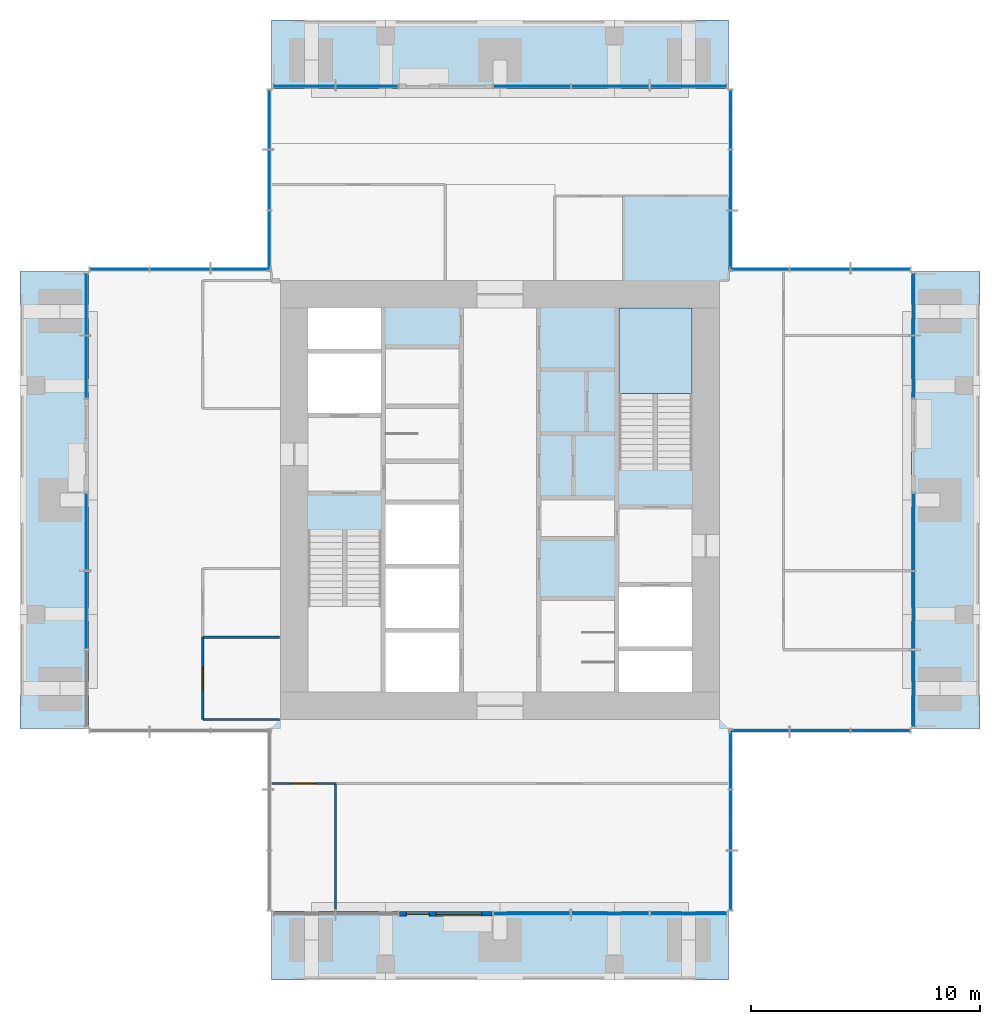
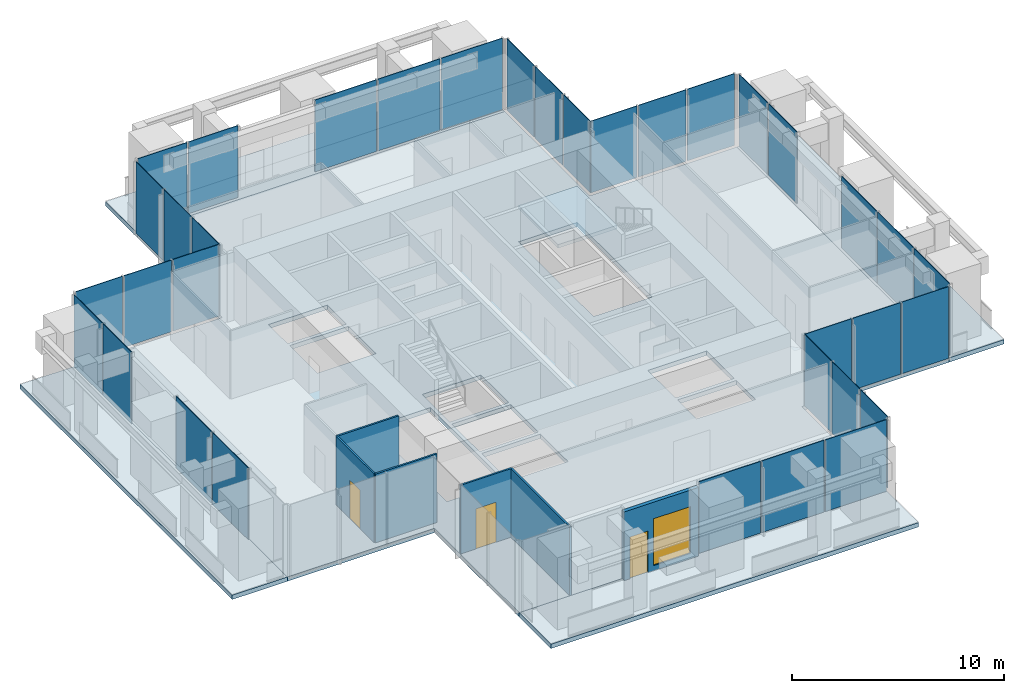
# One storey, part 6 of 12: 35 plates, 6 slabs, 6 walls, 3 doors, 1 window, 4 openings, 14 elements without a shape of their own.
"""IFC4 building model written with IfcOpenShell, lengths in metres."""

from ifc_helpers import new_model, si_unit, direction, frame, frame_2d, origin, origin_2d, place, context, subcontext, project, spatial, polyline, rectangle, outline, extrude, material, layer, layer_set, type_object, element, fill, aggregate, save


model = new_model("IFC4")

# Units and contexts
model_context = context("Model", 3, precision=1e-05, world=origin(), true_north=direction((0.0, 1.0)))
body_context = subcontext(model_context, "Body", "Model", "MODEL_VIEW")
ifc_project = project(units=[si_unit("LENGTHUNIT", "METRE"), si_unit("AREAUNIT", "SQUARE_METRE"), si_unit("VOLUMEUNIT", "CUBIC_METRE"), si_unit("PLANEANGLEUNIT", "RADIAN"), si_unit("MASSUNIT", "GRAM", prefix="KILO")], contexts=[model_context])

# Site, building, storey
site_placement = place(None, origin())
site = spatial("IfcSite", under=ifc_project, at=site_placement, CompositionType="ELEMENT")
building_placement = place(site_placement, origin())
building = spatial("IfcBuilding", under=site, at=building_placement, Name="Svetlomir Tower", CompositionType="ELEMENT")
storey_placement = place(building_placement, frame((0.0, 0.0, 265.0)))
storey = spatial("IfcBuildingStorey", under=building, at=storey_placement, Name="L63", CompositionType="ELEMENT", Elevation=265.0)

# Curtain wall, plates
ifc_material_1 = material(Name="Bronze anodised aluminium curtain wall", Category="aluminium")
curtain_wall_type = type_object("IfcCurtainWallType", Name="CURTAIN WALL CW4 EXECUTIVE", PredefinedType="NOTDEFINED", material=ifc_material_1)
curtain_wall_1_placement = place(storey_placement, origin())
curtain_wall_1 = element("IfcCurtainWall", 1, at=curtain_wall_1_placement, inside=storey, type_object=curtain_wall_type, Name="Curtain wall CW4 L63", PredefinedType="NOTDEFINED")
ifc_material_2 = material(Name="Tinted double glazed unit", Category="glass")
ifc_layer_1 = layer(ifc_material_2, 0.035888671875)
ifc_layer_set_1 = layer_set([ifc_layer_1], Name="Tinted double glazed unit")
plate_type = type_object("IfcPlateType", Name="CW4 GLAZED PANEL 36", PredefinedType="CURTAIN_PANEL", material=ifc_layer_set_1)
plate_1_placement = place(storey_placement, frame((22.393798828125, 2.89990234375, 0.074951171875), z_axis=(0.0, 0.0, 1.0), x_axis=(1.0, 0.0, 0.0)))
plate_1 = element("IfcPlate", 2, at=plate_1_placement, type_object=plate_type, Name="CW4 panel 1.1", PredefinedType="CURTAIN_PANEL", context=body_context, shape_type="SweptSolid", body=[
    extrude(rectangle(XDim=3.33740234375, YDim=0.035888671875, at=origin_2d()), origin(), (0.0, 0.0, 1.0), 4.125),
])
plate_2_placement = place(storey_placement, frame((25.824951171875, 2.89990234375, 0.074951171875), z_axis=(0.0, 0.0, 1.0), x_axis=(1.0, 0.0, 0.0)))
plate_2 = element("IfcPlate", 3, at=plate_2_placement, type_object=plate_type, Name="CW4 panel 2.1", PredefinedType="CURTAIN_PANEL", context=body_context, shape_type="SweptSolid", body=[
    extrude(rectangle(XDim=3.375, YDim=0.035888671875, at=origin_2d()), origin(), (0.0, 0.0, 1.0), 4.125),
])
plate_3_placement = place(storey_placement, frame((29.25634765625, 2.89990234375, 0.074951171875), z_axis=(0.0, 0.0, 1.0), x_axis=(1.0, 0.0, 0.0)))
plate_3 = element("IfcPlate", 4, at=plate_3_placement, type_object=plate_type, Name="CW4 panel 3.1", PredefinedType="CURTAIN_PANEL", context=body_context, shape_type="SweptSolid", body=[
    extrude(rectangle(XDim=3.33740234375, YDim=0.035888671875, at=origin_2d()), origin(), (0.0, 0.0, 1.0), 4.125),
])
aggregate(curtain_wall_1, [plate_1, plate_2, plate_3])

curtain_wall_2_placement = place(storey_placement, origin())
curtain_wall_2 = element("IfcCurtainWall", 5, at=curtain_wall_2_placement, inside=storey, type_object=curtain_wall_type, Name="Curtain wall CW4 L63", PredefinedType="NOTDEFINED")
plate_4_placement = place(storey_placement, frame((31.10009765625, 4.35205078125, 0.074951171875), z_axis=(0.0, 0.0, 1.0), x_axis=(0.0, 1.0, 0.0)))
plate_4 = element("IfcPlate", 6, at=plate_4_placement, type_object=plate_type, Name="CW4 panel 1.1", PredefinedType="CURTAIN_PANEL", context=body_context, shape_type="SweptSolid", body=[
    extrude(rectangle(XDim=2.55419921875, YDim=0.035888671875, at=origin_2d()), origin(), (0.0, 0.0, 1.0), 4.125),
])
plate_5_placement = place(storey_placement, frame((31.10009765625, 7.0, 0.074951171875), z_axis=(0.0, 0.0, 1.0), x_axis=(0.0, 1.0, 0.0)))
plate_5 = element("IfcPlate", 7, at=plate_5_placement, type_object=plate_type, Name="CW4 panel 2.1", PredefinedType="CURTAIN_PANEL", context=body_context, shape_type="SweptSolid", body=[
    extrude(rectangle(XDim=2.591552734375, YDim=0.035888671875, at=origin_2d()), origin(), (0.0, 0.0, 1.0), 4.125),
])
plate_6_placement = place(storey_placement, frame((31.10009765625, 9.64794921875, 0.074951171875), z_axis=(0.0, 0.0, 1.0), x_axis=(0.0, 1.0, 0.0)))
plate_6 = element("IfcPlate", 8, at=plate_6_placement, type_object=plate_type, Name="CW4 panel 3.1", PredefinedType="CURTAIN_PANEL", context=body_context, shape_type="SweptSolid", body=[
    extrude(rectangle(XDim=2.55419921875, YDim=0.035888671875, at=origin_2d()), origin(), (0.0, 0.0, 1.0), 4.125),
])
aggregate(curtain_wall_2, [plate_4, plate_5, plate_6])

curtain_wall_3_placement = place(storey_placement, origin())
curtain_wall_3 = element("IfcCurtainWall", 9, at=curtain_wall_3_placement, inside=storey, type_object=curtain_wall_type, Name="Curtain wall CW4 L63", PredefinedType="NOTDEFINED")
plate_7_placement = place(storey_placement, frame((32.35205078125, 10.89990234375, 0.074951171875), z_axis=(0.0, 0.0, 1.0), x_axis=(1.0, 0.0, 0.0)))
plate_7 = element("IfcPlate", 10, at=plate_7_placement, type_object=plate_type, Name="CW4 panel 1.1", PredefinedType="CURTAIN_PANEL", context=body_context, shape_type="SweptSolid", body=[
    extrude(rectangle(XDim=2.55419921875, YDim=0.035888671875, at=origin_2d()), origin(), (0.0, 0.0, 1.0), 4.125),
])
plate_8_placement = place(storey_placement, frame((35.0, 10.89990234375, 0.074951171875), z_axis=(0.0, 0.0, 1.0), x_axis=(1.0, 0.0, 0.0)))
plate_8 = element("IfcPlate", 11, at=plate_8_placement, type_object=plate_type, Name="CW4 panel 2.1", PredefinedType="CURTAIN_PANEL", context=body_context, shape_type="SweptSolid", body=[
    extrude(rectangle(XDim=2.591552734375, YDim=0.035888671875, at=origin_2d()), origin(), (0.0, 0.0, 1.0), 4.125),
])
plate_9_placement = place(storey_placement, frame((37.64794921875, 10.89990234375, 0.074951171875), z_axis=(0.0, 0.0, 1.0), x_axis=(1.0, 0.0, 0.0)))
plate_9 = element("IfcPlate", 12, at=plate_9_placement, type_object=plate_type, Name="CW4 panel 3.1", PredefinedType="CURTAIN_PANEL", context=body_context, shape_type="SweptSolid", body=[
    extrude(rectangle(XDim=2.55419921875, YDim=0.035888671875, at=origin_2d()), origin(), (0.0, 0.0, 1.0), 4.125),
])
aggregate(curtain_wall_3, [plate_7, plate_8, plate_9])

curtain_wall_4_placement = place(storey_placement, origin())
curtain_wall_4 = element("IfcCurtainWall", 13, at=curtain_wall_4_placement, inside=storey, type_object=curtain_wall_type, Name="Curtain wall CW4 L63", PredefinedType="NOTDEFINED")
plate_10_placement = place(storey_placement, frame((39.10009765625, 12.74365234375, 0.074951171875), z_axis=(0.0, 0.0, 1.0), x_axis=(0.0, 1.0, 0.0)))
plate_10 = element("IfcPlate", 14, at=plate_10_placement, type_object=plate_type, Name="CW4 panel 1.1", PredefinedType="CURTAIN_PANEL", context=body_context, shape_type="SweptSolid", body=[
    extrude(rectangle(XDim=3.33740234375, YDim=0.035888671875, at=origin_2d()), origin(), (0.0, 0.0, 1.0), 4.125),
])
plate_11_placement = place(storey_placement, frame((39.10009765625, 16.175048828125, 0.074951171875), z_axis=(0.0, 0.0, 1.0), x_axis=(0.0, 1.0, 0.0)))
plate_11 = element("IfcPlate", 15, at=plate_11_placement, type_object=plate_type, Name="CW4 panel 2.1", PredefinedType="CURTAIN_PANEL", context=body_context, shape_type="SweptSolid", body=[
    extrude(rectangle(XDim=3.375, YDim=0.035888671875, at=origin_2d()), origin(), (0.0, 0.0, 1.0), 4.125),
])
plate_12_placement = place(storey_placement, frame((39.10009765625, 19.606201171875, 0.074951171875), z_axis=(0.0, 0.0, 1.0), x_axis=(0.0, 1.0, 0.0)))
plate_12 = element("IfcPlate", 16, at=plate_12_placement, type_object=plate_type, Name="CW4 panel 3.1", PredefinedType="CURTAIN_PANEL", context=body_context, shape_type="SweptSolid", body=[
    extrude(rectangle(XDim=3.33740234375, YDim=0.035888671875, at=origin_2d()), origin(), (0.0, 0.0, 1.0), 4.125),
])
aggregate(curtain_wall_4, [plate_10, plate_11, plate_12])

curtain_wall_5_placement = place(storey_placement, origin())
curtain_wall_5 = element("IfcCurtainWall", 17, at=curtain_wall_5_placement, inside=storey, type_object=curtain_wall_type, Name="Curtain wall CW4 L63", PredefinedType="NOTDEFINED")
plate_13_placement = place(storey_placement, frame((39.10009765625, 26.81884765625, 0.074951171875), z_axis=(0.0, 0.0, 1.0), x_axis=(0.0, 1.0, 0.0)))
plate_13 = element("IfcPlate", 18, at=plate_13_placement, type_object=plate_type, Name="CW4 panel 1.1", PredefinedType="CURTAIN_PANEL", context=body_context, shape_type="SweptSolid", body=[
    extrude(rectangle(XDim=2.6875, YDim=0.035888671875, at=origin_2d()), origin(), (0.0, 0.0, 1.0), 4.125),
])
plate_14_placement = place(storey_placement, frame((39.10009765625, 29.581298828125, 0.074951171875), z_axis=(0.0, 0.0, 1.0), x_axis=(0.0, 1.0, 0.0)))
plate_14 = element("IfcPlate", 19, at=plate_14_placement, type_object=plate_type, Name="CW4 panel 2.1", PredefinedType="CURTAIN_PANEL", context=body_context, shape_type="SweptSolid", body=[
    extrude(rectangle(XDim=2.6875, YDim=0.035888671875, at=origin_2d()), origin(), (0.0, 0.0, 1.0), 4.125),
])
aggregate(curtain_wall_5, [plate_13, plate_14])

curtain_wall_6_placement = place(storey_placement, origin())
curtain_wall_6 = element("IfcCurtainWall", 20, at=curtain_wall_6_placement, inside=storey, type_object=curtain_wall_type, Name="Curtain wall CW4 L63", PredefinedType="NOTDEFINED")
plate_15_placement = place(storey_placement, frame((37.64794921875, 31.10009765625, 0.074951171875), z_axis=(0.0, 0.0, 1.0), x_axis=(-1.0, 0.0, 0.0)))
plate_15 = element("IfcPlate", 21, at=plate_15_placement, type_object=plate_type, Name="CW4 panel 1.1", PredefinedType="CURTAIN_PANEL", context=body_context, shape_type="SweptSolid", body=[
    extrude(rectangle(XDim=2.55419921875, YDim=0.035888671875, at=origin_2d()), origin(), (0.0, 0.0, 1.0), 4.125),
])
plate_16_placement = place(storey_placement, frame((35.0, 31.10009765625, 0.074951171875), z_axis=(0.0, 0.0, 1.0), x_axis=(-1.0, 0.0, 0.0)))
plate_16 = element("IfcPlate", 22, at=plate_16_placement, type_object=plate_type, Name="CW4 panel 2.1", PredefinedType="CURTAIN_PANEL", context=body_context, shape_type="SweptSolid", body=[
    extrude(rectangle(XDim=2.591552734375, YDim=0.035888671875, at=origin_2d()), origin(), (0.0, 0.0, 1.0), 4.125),
])
plate_17_placement = place(storey_placement, frame((32.35205078125, 31.10009765625, 0.074951171875), z_axis=(0.0, 0.0, 1.0), x_axis=(-1.0, 0.0, 0.0)))
plate_17 = element("IfcPlate", 23, at=plate_17_placement, type_object=plate_type, Name="CW4 panel 3.1", PredefinedType="CURTAIN_PANEL", context=body_context, shape_type="SweptSolid", body=[
    extrude(rectangle(XDim=2.55419921875, YDim=0.035888671875, at=origin_2d()), origin(), (0.0, 0.0, 1.0), 4.125),
])
aggregate(curtain_wall_6, [plate_15, plate_16, plate_17])

curtain_wall_7_placement = place(storey_placement, origin())
curtain_wall_7 = element("IfcCurtainWall", 24, at=curtain_wall_7_placement, inside=storey, type_object=curtain_wall_type, Name="Curtain wall CW4 L63", PredefinedType="NOTDEFINED")
plate_18_placement = place(storey_placement, frame((31.10009765625, 32.35205078125, 0.074951171875), z_axis=(0.0, 0.0, 1.0), x_axis=(0.0, 1.0, 0.0)))
plate_18 = element("IfcPlate", 25, at=plate_18_placement, type_object=plate_type, Name="CW4 panel 1.1", PredefinedType="CURTAIN_PANEL", context=body_context, shape_type="SweptSolid", body=[
    extrude(rectangle(XDim=2.55419921875, YDim=0.035888671875, at=origin_2d()), origin(), (0.0, 0.0, 1.0), 4.125),
])
plate_19_placement = place(storey_placement, frame((31.10009765625, 35.0, 0.074951171875), z_axis=(0.0, 0.0, 1.0), x_axis=(0.0, 1.0, 0.0)))
plate_19 = element("IfcPlate", 26, at=plate_19_placement, type_object=plate_type, Name="CW4 panel 2.1", PredefinedType="CURTAIN_PANEL", context=body_context, shape_type="SweptSolid", body=[
    extrude(rectangle(XDim=2.591552734375, YDim=0.035888671875, at=origin_2d()), origin(), (0.0, 0.0, 1.0), 4.125),
])
plate_20_placement = place(storey_placement, frame((31.10009765625, 37.64794921875, 0.074951171875), z_axis=(0.0, 0.0, 1.0), x_axis=(0.0, 1.0, 0.0)))
plate_20 = element("IfcPlate", 27, at=plate_20_placement, type_object=plate_type, Name="CW4 panel 3.1", PredefinedType="CURTAIN_PANEL", context=body_context, shape_type="SweptSolid", body=[
    extrude(rectangle(XDim=2.55419921875, YDim=0.035888671875, at=origin_2d()), origin(), (0.0, 0.0, 1.0), 4.125),
])
aggregate(curtain_wall_7, [plate_18, plate_19, plate_20])

curtain_wall_8_placement = place(storey_placement, origin())
curtain_wall_8 = element("IfcCurtainWall", 28, at=curtain_wall_8_placement, inside=storey, type_object=curtain_wall_type, Name="Curtain wall CW4 L63", PredefinedType="NOTDEFINED")
plate_21_placement = place(storey_placement, frame((29.25634765625, 39.10009765625, 0.074951171875), z_axis=(0.0, 0.0, 1.0), x_axis=(-1.0, 0.0, 0.0)))
plate_21 = element("IfcPlate", 29, at=plate_21_placement, type_object=plate_type, Name="CW4 panel 1.1", PredefinedType="CURTAIN_PANEL", context=body_context, shape_type="SweptSolid", body=[
    extrude(rectangle(XDim=3.33740234375, YDim=0.035888671875, at=origin_2d()), origin(), (0.0, 0.0, 1.0), 4.125),
])
plate_22_placement = place(storey_placement, frame((25.824951171875, 39.10009765625, 0.074951171875), z_axis=(0.0, 0.0, 1.0), x_axis=(-1.0, 0.0, 0.0)))
plate_22 = element("IfcPlate", 30, at=plate_22_placement, type_object=plate_type, Name="CW4 panel 2.1", PredefinedType="CURTAIN_PANEL", context=body_context, shape_type="SweptSolid", body=[
    extrude(rectangle(XDim=3.375, YDim=0.035888671875, at=origin_2d()), origin(), (0.0, 0.0, 1.0), 4.125),
])
plate_23_placement = place(storey_placement, frame((22.393798828125, 39.10009765625, 0.074951171875), z_axis=(0.0, 0.0, 1.0), x_axis=(-1.0, 0.0, 0.0)))
plate_23 = element("IfcPlate", 31, at=plate_23_placement, type_object=plate_type, Name="CW4 panel 3.1", PredefinedType="CURTAIN_PANEL", context=body_context, shape_type="SweptSolid", body=[
    extrude(rectangle(XDim=3.33740234375, YDim=0.035888671875, at=origin_2d()), origin(), (0.0, 0.0, 1.0), 4.125),
])
aggregate(curtain_wall_8, [plate_21, plate_22, plate_23])

curtain_wall_9_placement = place(storey_placement, origin())
curtain_wall_9 = element("IfcCurtainWall", 32, at=curtain_wall_9_placement, inside=storey, type_object=curtain_wall_type, Name="Curtain wall CW4 L63", PredefinedType="NOTDEFINED")
plate_24_placement = place(storey_placement, frame((15.18115234375, 39.10009765625, 0.074951171875), z_axis=(0.0, 0.0, 1.0), x_axis=(-1.0, 0.0, 0.0)))
plate_24 = element("IfcPlate", 33, at=plate_24_placement, type_object=plate_type, Name="CW4 panel 1.1", PredefinedType="CURTAIN_PANEL", context=body_context, shape_type="SweptSolid", body=[
    extrude(rectangle(XDim=2.6875, YDim=0.035888671875, at=origin_2d()), origin(), (0.0, 0.0, 1.0), 4.125),
])
plate_25_placement = place(storey_placement, frame((12.418701171875, 39.10009765625, 0.074951171875), z_axis=(0.0, 0.0, 1.0), x_axis=(-1.0, 0.0, 0.0)))
plate_25 = element("IfcPlate", 34, at=plate_25_placement, type_object=plate_type, Name="CW4 panel 2.1", PredefinedType="CURTAIN_PANEL", context=body_context, shape_type="SweptSolid", body=[
    extrude(rectangle(XDim=2.6875, YDim=0.035888671875, at=origin_2d()), origin(), (0.0, 0.0, 1.0), 4.125),
])
aggregate(curtain_wall_9, [plate_24, plate_25])

curtain_wall_10_placement = place(storey_placement, origin())
curtain_wall_10 = element("IfcCurtainWall", 35, at=curtain_wall_10_placement, inside=storey, type_object=curtain_wall_type, Name="Curtain wall CW4 L63", PredefinedType="NOTDEFINED")
plate_26_placement = place(storey_placement, frame((10.89990234375, 37.64794921875, 0.074951171875), z_axis=(0.0, 0.0, 1.0), x_axis=(0.0, -1.0, 0.0)))
plate_26 = element("IfcPlate", 36, at=plate_26_placement, type_object=plate_type, Name="CW4 panel 1.1", PredefinedType="CURTAIN_PANEL", context=body_context, shape_type="SweptSolid", body=[
    extrude(rectangle(XDim=2.55419921875, YDim=0.035888671875, at=origin_2d()), origin(), (0.0, 0.0, 1.0), 4.125),
])
plate_27_placement = place(storey_placement, frame((10.89990234375, 35.0, 0.074951171875), z_axis=(0.0, 0.0, 1.0), x_axis=(0.0, -1.0, 0.0)))
plate_27 = element("IfcPlate", 37, at=plate_27_placement, type_object=plate_type, Name="CW4 panel 2.1", PredefinedType="CURTAIN_PANEL", context=body_context, shape_type="SweptSolid", body=[
    extrude(rectangle(XDim=2.591552734375, YDim=0.035888671875, at=origin_2d()), origin(), (0.0, 0.0, 1.0), 4.125),
])
plate_28_placement = place(storey_placement, frame((10.89990234375, 32.35205078125, 0.074951171875), z_axis=(0.0, 0.0, 1.0), x_axis=(0.0, -1.0, 0.0)))
plate_28 = element("IfcPlate", 38, at=plate_28_placement, type_object=plate_type, Name="CW4 panel 3.1", PredefinedType="CURTAIN_PANEL", context=body_context, shape_type="SweptSolid", body=[
    extrude(rectangle(XDim=2.55419921875, YDim=0.035888671875, at=origin_2d()), origin(), (0.0, 0.0, 1.0), 4.125),
])
aggregate(curtain_wall_10, [plate_26, plate_27, plate_28])

curtain_wall_11_placement = place(storey_placement, origin())
curtain_wall_11 = element("IfcCurtainWall", 39, at=curtain_wall_11_placement, inside=storey, type_object=curtain_wall_type, Name="Curtain wall CW4 L63", PredefinedType="NOTDEFINED")
plate_29_placement = place(storey_placement, frame((9.64794921875, 31.10009765625, 0.074951171875), z_axis=(0.0, 0.0, 1.0), x_axis=(-1.0, 0.0, 0.0)))
plate_29 = element("IfcPlate", 40, at=plate_29_placement, type_object=plate_type, Name="CW4 panel 1.1", PredefinedType="CURTAIN_PANEL", context=body_context, shape_type="SweptSolid", body=[
    extrude(rectangle(XDim=2.55419921875, YDim=0.035888671875, at=origin_2d()), origin(), (0.0, 0.0, 1.0), 4.125),
])
plate_30_placement = place(storey_placement, frame((7.0, 31.10009765625, 0.074951171875), z_axis=(0.0, 0.0, 1.0), x_axis=(-1.0, 0.0, 0.0)))
plate_30 = element("IfcPlate", 41, at=plate_30_placement, type_object=plate_type, Name="CW4 panel 2.1", PredefinedType="CURTAIN_PANEL", context=body_context, shape_type="SweptSolid", body=[
    extrude(rectangle(XDim=2.591552734375, YDim=0.035888671875, at=origin_2d()), origin(), (0.0, 0.0, 1.0), 4.125),
])
plate_31_placement = place(storey_placement, frame((4.35205078125, 31.10009765625, 0.074951171875), z_axis=(0.0, 0.0, 1.0), x_axis=(-1.0, 0.0, 0.0)))
plate_31 = element("IfcPlate", 42, at=plate_31_placement, type_object=plate_type, Name="CW4 panel 3.1", PredefinedType="CURTAIN_PANEL", context=body_context, shape_type="SweptSolid", body=[
    extrude(rectangle(XDim=2.55419921875, YDim=0.035888671875, at=origin_2d()), origin(), (0.0, 0.0, 1.0), 4.125),
])
aggregate(curtain_wall_11, [plate_29, plate_30, plate_31])

curtain_wall_12_placement = place(storey_placement, origin())
curtain_wall_12 = element("IfcCurtainWall", 43, at=curtain_wall_12_placement, inside=storey, type_object=curtain_wall_type, Name="Curtain wall CW4 L63", PredefinedType="NOTDEFINED")
plate_32_placement = place(storey_placement, frame((2.89990234375, 29.581298828125, 0.074951171875), z_axis=(0.0, 0.0, 1.0), x_axis=(0.0, -1.0, 0.0)))
plate_32 = element("IfcPlate", 44, at=plate_32_placement, type_object=plate_type, Name="CW4 panel 1.1", PredefinedType="CURTAIN_PANEL", context=body_context, shape_type="SweptSolid", body=[
    extrude(rectangle(XDim=2.6875, YDim=0.035888671875, at=origin_2d()), origin(), (0.0, 0.0, 1.0), 4.125),
])
plate_33_placement = place(storey_placement, frame((2.89990234375, 26.81884765625, 0.074951171875), z_axis=(0.0, 0.0, 1.0), x_axis=(0.0, -1.0, 0.0)))
plate_33 = element("IfcPlate", 45, at=plate_33_placement, type_object=plate_type, Name="CW4 panel 2.1", PredefinedType="CURTAIN_PANEL", context=body_context, shape_type="SweptSolid", body=[
    extrude(rectangle(XDim=2.6875, YDim=0.035888671875, at=origin_2d()), origin(), (0.0, 0.0, 1.0), 4.125),
])
aggregate(curtain_wall_12, [plate_32, plate_33])

curtain_wall_13_placement = place(storey_placement, origin())
curtain_wall_13 = element("IfcCurtainWall", 46, at=curtain_wall_13_placement, inside=storey, type_object=curtain_wall_type, Name="Curtain wall CW4 L63", PredefinedType="NOTDEFINED")
plate_34_placement = place(storey_placement, frame((2.89990234375, 19.606201171875, 0.074951171875), z_axis=(0.0, 0.0, 1.0), x_axis=(0.0, -1.0, 0.0)))
plate_34 = element("IfcPlate", 47, at=plate_34_placement, type_object=plate_type, Name="CW4 panel 1.1", PredefinedType="CURTAIN_PANEL", context=body_context, shape_type="SweptSolid", body=[
    extrude(rectangle(XDim=3.33740234375, YDim=0.035888671875, at=origin_2d()), origin(), (0.0, 0.0, 1.0), 4.125),
])
plate_35_placement = place(storey_placement, frame((2.89990234375, 16.175048828125, 0.074951171875), z_axis=(0.0, 0.0, 1.0), x_axis=(0.0, -1.0, 0.0)))
plate_35 = element("IfcPlate", 48, at=plate_35_placement, type_object=plate_type, Name="CW4 panel 2.1", PredefinedType="CURTAIN_PANEL", context=body_context, shape_type="SweptSolid", body=[
    extrude(rectangle(XDim=3.375, YDim=0.035888671875, at=origin_2d()), origin(), (0.0, 0.0, 1.0), 4.125),
])
aggregate(curtain_wall_13, [plate_34, plate_35])

# Slabs
ifc_material_3 = material(Name="Concrete C60/75", Category="concrete")
ifc_layer_2 = layer(ifc_material_3, 0.25)
ifc_layer_set_2 = layer_set([ifc_layer_2], Name="Concrete C60/75")
slab_type_1 = type_object("IfcSlabType", Name="FLOOR SLAB 250", PredefinedType="FLOOR", material=ifc_layer_set_2)
slab_1_placement = place(storey_placement, frame((0.0, 0.0, -0.25)))
element("IfcSlab", 49, at=slab_1_placement, inside=storey, type_object=slab_type_1, Name="L63 floor slab", PredefinedType="FLOOR", context=body_context, shape_type="SweptSolid", body=[
    extrude(outline(polyline([(11.0, 3.0), (31.0, 3.0), (31.0, 11.0), (39.0, 11.0), (39.0, 31.0), (31.0, 31.0), (31.0, 39.0), (11.0, 39.0), (11.0, 31.0), (3.0, 31.0), (3.0, 11.0), (11.0, 11.0), (11.0, 3.0)]), holes=[polyline([(12.60009765625, 24.800048828125), (15.800048828125, 24.800048828125), (15.800048828125, 27.39990234375), (12.60009765625, 27.39990234375), (12.60009765625, 24.800048828125)]), polyline([(26.199951171875, 14.60009765625), (29.39990234375, 14.60009765625), (29.39990234375, 17.199951171875), (26.199951171875, 17.199951171875), (26.199951171875, 14.60009765625)]), polyline([(16.0, 12.60009765625), (19.199951171875, 12.60009765625), (19.199951171875, 15.199951171875), (16.0, 15.199951171875), (16.0, 12.60009765625)]), polyline([(16.0, 15.39990234375), (19.199951171875, 15.39990234375), (19.199951171875, 18.0), (16.0, 18.0), (16.0, 15.39990234375)]), polyline([(16.0, 18.199951171875), (19.199951171875, 18.199951171875), (19.199951171875, 20.800048828125), (16.0, 20.800048828125), (16.0, 18.199951171875)]), polyline([(12.60009765625, 27.60009765625), (15.800048828125, 27.60009765625), (15.800048828125, 29.39990234375), (12.60009765625, 29.39990234375), (12.60009765625, 27.60009765625)]), polyline([(26.199951171875, 12.60009765625), (29.39990234375, 12.60009765625), (29.39990234375, 14.39990234375), (26.199951171875, 14.39990234375), (26.199951171875, 12.60009765625)]), polyline([(12.60009765625, 12.60009765625), (15.800048828125, 12.60009765625), (15.800048828125, 19.679931640625), (12.60009765625, 19.679931640625), (12.60009765625, 12.60009765625)]), polyline([(26.199951171875, 22.320068359375), (29.39990234375, 22.320068359375), (29.39990234375, 29.39990234375), (26.199951171875, 29.39990234375), (26.199951171875, 22.320068359375)])]), origin(), (0.0, 0.0, 1.0), 0.25),
])
ifc_material_4 = material(Name="Concrete C60/75", Category="concrete")
ifc_layer_3 = layer(ifc_material_4, 0.25)
ifc_layer_set_3 = layer_set([ifc_layer_3], Name="Concrete C60/75")
slab_type_2 = type_object("IfcSlabType", Name="PLANTED LOGGIA SLAB 250", PredefinedType="FLOOR", material=ifc_layer_set_3)
slab_2_placement = place(storey_placement, frame((0.0, 0.0, -0.25)))
element("IfcSlab", 50, at=slab_2_placement, inside=storey, type_object=slab_type_2, Name="L63 S planted loggia", PredefinedType="FLOOR", context=body_context, shape_type="SweptSolid", body=[
    extrude(outline(polyline([(11.0, 0.0), (31.0, 0.0), (31.0, 3.0), (11.0, 3.0), (11.0, 0.0)])), origin(), (0.0, 0.0, 1.0), 0.25),
])
slab_3_placement = place(storey_placement, frame((0.0, 0.0, -0.25)))
element("IfcSlab", 51, at=slab_3_placement, inside=storey, type_object=slab_type_2, Name="L63 E planted loggia", PredefinedType="FLOOR", context=body_context, shape_type="SweptSolid", body=[
    extrude(outline(polyline([(39.0, 11.0), (42.0, 11.0), (42.0, 31.0), (39.0, 31.0), (39.0, 11.0)])), origin(), (0.0, 0.0, 1.0), 0.25),
])
slab_4_placement = place(storey_placement, frame((0.0, 0.0, -0.25)))
element("IfcSlab", 52, at=slab_4_placement, inside=storey, type_object=slab_type_2, Name="L63 N planted loggia", PredefinedType="FLOOR", context=body_context, shape_type="SweptSolid", body=[
    extrude(outline(polyline([(11.0, 39.0), (31.0, 39.0), (31.0, 42.0), (11.0, 42.0), (11.0, 39.0)])), origin(), (0.0, 0.0, 1.0), 0.25),
])
slab_5_placement = place(storey_placement, frame((0.0, 0.0, -0.25)))
element("IfcSlab", 53, at=slab_5_placement, inside=storey, type_object=slab_type_2, Name="L63 W planted loggia", PredefinedType="FLOOR", context=body_context, shape_type="SweptSolid", body=[
    extrude(outline(polyline([(0.0, 11.0), (3.0, 11.0), (3.0, 31.0), (0.0, 31.0), (0.0, 11.0)])), origin(), (0.0, 0.0, 1.0), 0.25),
])

# Stair, slab
ifc_material_5 = material(Name="Concrete C60/75", Category="concrete")
stair_type = type_object("IfcStairType", Name="EXIT STAIR 3200 RISE 4200", PredefinedType="HALF_TURN_STAIR", material=ifc_material_5)
stair_placement = place(storey_placement, origin())
stair = element("IfcStair", 54, at=stair_placement, inside=storey, type_object=stair_type, Name="Stair S2 L63 to L64", PredefinedType="HALF_TURN_STAIR")
ifc_material_6 = material(Name="Concrete C60/75", Category="concrete")
ifc_layer_4 = layer(ifc_material_6, 0.199951171875)
ifc_layer_set_4 = layer_set([ifc_layer_4], Name="Concrete C60/75")
slab_type_3 = type_object("IfcSlabType", Name="STAIR LANDING 200", PredefinedType="LANDING", material=ifc_layer_set_4)
slab_6_placement = place(storey_placement, frame((0.0, 0.0, 1.89990234375)))
slab_6 = element("IfcSlab", 55, at=slab_6_placement, type_object=slab_type_3, Name="S2 landing 1", PredefinedType="LANDING", context=body_context, shape_type="SweptSolid", body=[
    extrude(outline(polyline([(26.199951171875, 25.659912109375), (29.39990234375, 25.659912109375), (29.39990234375, 29.39990234375), (26.199951171875, 29.39990234375), (26.199951171875, 25.659912109375)])), origin(), (0.0, 0.0, 1.0), 0.2001953125),
])
aggregate(stair, [slab_6])

# Wall, openings, door, window
ifc_material_7 = material(Name="Bronze anodised aluminium glazed screen", Category="aluminium")
ifc_layer_5 = layer(ifc_material_7, 0.199951171875)
ifc_layer_set_5 = layer_set([ifc_layer_5], Name="Bronze anodised aluminium glazed screen")
wall_type_1 = type_object("IfcWallType", Name="BALCONY SCREEN WALL 200", PredefinedType="USERDEFINED", material=ifc_layer_set_5)
wall_1_placement = place(storey_placement, frame((16.60009765625, 2.89990234375, 0.0), z_axis=(0.0, 0.0, 1.0), x_axis=(1.0, 0.0, 0.0)))
wall_1 = element("IfcWall", 56, at=wall_1_placement, inside=storey, type_object=wall_type_1, Name="Balcony screen S", ObjectType="GLAZED SCREEN", PredefinedType="USERDEFINED", context=body_context, shape_type="SweptSolid", body=[
    extrude(rectangle(XDim=4.0498046875, YDim=0.199951171875, at=frame_2d((2.02490234375, 0.0))), origin(), (0.0, 0.0, 1.0), 3.949951171875),
])
opening_1_placement = place(wall_1_placement, frame((0.300048828125, 0.0, 0.0)))
opening_1 = element("IfcOpeningElement", 57, at=opening_1_placement, cuts=wall_1, Name="Opening BD", PredefinedType="OPENING", context=body_context, shape_type="SweptSolid", body=[
    extrude(rectangle(XDim=1.0, YDim=2.39990234375, at=frame_2d((0.5, 1.199951171875))), frame((0.0, 0.10986328125, 0.0), z_axis=(0.0, -1.0, 0.0), x_axis=(1.0, 0.0, 0.0)), (0.0, 0.0, 1.0), 0.219970703125),
])
opening_2_placement = place(wall_1_placement, frame((1.60009765625, 0.0, 0.300048828125)))
opening_2 = element("IfcOpeningElement", 58, at=opening_2_placement, cuts=wall_1, Name="Opening WS", PredefinedType="OPENING", context=body_context, shape_type="SweptSolid", body=[
    extrude(rectangle(XDim=2.0, YDim=2.699951171875, at=frame_2d((1.0, 1.35009765625))), frame((0.0, 0.10986328125, 0.0), z_axis=(0.0, -1.0, 0.0), x_axis=(1.0, 0.0, 0.0)), (0.0, 0.0, 1.0), 0.219970703125),
])
ifc_material_8 = material(Name="Bronze anodised aluminium glazed door", Category="aluminium")
door_type_1 = type_object("IfcDoorType", Name="BALCONY DOOR BD 1000x2400", OperationType="SINGLE_SWING_LEFT", PredefinedType="DOOR", material=ifc_material_8)
door_1_placement = place(opening_1_placement, origin())
door_1 = element("IfcDoor", 59, at=door_1_placement, inside=storey, type_object=door_type_1, Name="Balcony screen S door", OperationType="SINGLE_SWING_LEFT", OverallHeight=2.39990234375, OverallWidth=1.0, PredefinedType="DOOR", context=body_context, shape_type="SweptSolid", body=[
    extrude(rectangle(XDim=1.0, YDim=2.39990234375, at=frame_2d((0.5, 1.199951171875))), frame((0.0, 0.02490234375, 0.0), z_axis=(0.0, -1.0, 0.0), x_axis=(1.0, 0.0, 0.0)), (0.0, 0.0, 1.0), 0.050048828125),
])
fill(opening_1, door_1)
ifc_material_9 = material(Name="Bronze anodised aluminium window", Category="aluminium")
window_type = type_object("IfcWindowType", Name="SCREEN WINDOW WS 2000x2700", PartitioningType="SINGLE_PANEL", PredefinedType="WINDOW", material=ifc_material_9)
window_placement = place(opening_2_placement, origin())
window = element("IfcWindow", 60, at=window_placement, inside=storey, type_object=window_type, Name="Balcony screen S window 1", OverallHeight=2.699951171875, OverallWidth=2.0, PartitioningType="SINGLE_PANEL", PredefinedType="WINDOW", context=body_context, shape_type="SweptSolid", body=[
    extrude(rectangle(XDim=2.0, YDim=2.699951171875, at=frame_2d((1.0, 1.35009765625))), frame((0.0, 0.030029296875, 0.0), z_axis=(0.0, -1.0, 0.0), x_axis=(1.0, 0.0, 0.0)), (0.0, 0.0, 1.0), 0.06005859375),
])
fill(opening_2, window)

# Wall, opening, door
ifc_material_10 = material(Name="Framed laminated glass partition", Category="glass")
ifc_layer_6 = layer(ifc_material_10, 0.10009765625)
ifc_layer_set_6 = layer_set([ifc_layer_6], Name="Framed laminated glass partition")
wall_type_2 = type_object("IfcWallType", Name="GLAZED PARTITION 100", PredefinedType="PARTITIONING", material=ifc_layer_set_6)
wall_2_placement = place(storey_placement, frame((8.0, 11.39990234375, 0.0), z_axis=(0.0, 0.0, 1.0), x_axis=(0.0, 1.0, 0.0)))
wall_2 = element("IfcWall", 61, at=wall_2_placement, inside=storey, type_object=wall_type_2, Name="Glazed partition L63", PredefinedType="PARTITIONING", context=body_context, shape_type="SweptSolid", body=[
    extrude(rectangle(XDim=3.60009765625, YDim=0.10009765625, at=frame_2d((1.800048828125, 0.0))), origin(), (0.0, 0.0, 1.0), 3.949951171875),
])
opening_3_placement = place(wall_2_placement, frame((1.300048828125, 0.0, 0.0)))
opening_3 = element("IfcOpeningElement", 62, at=opening_3_placement, cuts=wall_2, Name="Opening DR", PredefinedType="OPENING", context=body_context, shape_type="SweptSolid", body=[
    extrude(rectangle(XDim=1.0, YDim=2.199951171875, at=frame_2d((0.5, 1.10009765625))), frame((0.0, 0.06005859375, 0.0), z_axis=(0.0, -1.0, 0.0), x_axis=(1.0, 0.0, 0.0)), (0.0, 0.0, 1.0), 0.1201171875),
])
ifc_material_11 = material(Name="Timber door, glazed side light", Category="wood")
door_type_2 = type_object("IfcDoorType", Name="DOOR DR 1000x2200", OperationType="SINGLE_SWING_LEFT", PredefinedType="DOOR", material=ifc_material_11)
door_2_placement = place(opening_3_placement, origin())
door_2 = element("IfcDoor", 63, at=door_2_placement, inside=storey, type_object=door_type_2, Name="Directors' retiring room door L63", OperationType="SINGLE_SWING_LEFT", OverallHeight=2.199951171875, OverallWidth=1.0, PredefinedType="DOOR", context=body_context, shape_type="SweptSolid", body=[
    extrude(rectangle(XDim=1.0, YDim=2.199951171875, at=frame_2d((0.5, 1.10009765625))), frame((0.0, 0.02490234375, 0.0), z_axis=(0.0, -1.0, 0.0), x_axis=(1.0, 0.0, 0.0)), (0.0, 0.0, 1.0), 0.050048828125),
])
fill(opening_3, door_2)

# Walls
for number, where, z_axis, x_axis, name in (
    (64, (8.0, 11.39990234375, 0.0), (0.0, 0.0, 1.0), (1.0, 0.0, 0.0), "Glazed partition L63"),
    (65, (8.0, 15.0, 0.0), (0.0, 0.0, 1.0), (1.0, 0.0, 0.0), "Partition L63"),
):
    element("IfcWall", number, at=place(storey_placement, frame(where, z_axis=z_axis, x_axis=x_axis)), inside=storey, type_object=wall_type_2, Name=name, PredefinedType="PARTITIONING", context=body_context, shape_type="SweptSolid", body=[
        extrude(rectangle(XDim=3.35009765625, YDim=0.10009765625, at=frame_2d((1.675048828125, 0.0))), origin(), (0.0, 0.0, 1.0), 3.949951171875),
    ])

# Wall, opening, door
wall_3_placement = place(storey_placement, frame((11.0, 8.60009765625, 0.0), z_axis=(0.0, 0.0, 1.0), x_axis=(1.0, 0.0, 0.0)))
wall_3 = element("IfcWall", 66, at=wall_3_placement, inside=storey, type_object=wall_type_2, Name="Partition L63", PredefinedType="PARTITIONING", context=body_context, shape_type="SweptSolid", body=[
    extrude(rectangle(XDim=2.800048828125, YDim=0.10009765625, at=frame_2d((1.39990234375, 0.0))), origin(), (0.0, 0.0, 1.0), 3.949951171875),
])
opening_4_placement = place(wall_3_placement, frame((0.85009765625, 0.0, 0.0)))
opening_4 = element("IfcOpeningElement", 67, at=opening_4_placement, cuts=wall_3, Name="Opening DE", PredefinedType="OPENING", context=body_context, shape_type="SweptSolid", body=[
    extrude(rectangle(XDim=1.10009765625, YDim=2.300048828125, at=frame_2d((0.550048828125, 1.14990234375))), frame((0.0, 0.06005859375, 0.0), z_axis=(0.0, -1.0, 0.0), x_axis=(1.0, 0.0, 0.0)), (0.0, 0.0, 1.0), 0.1201171875),
])
ifc_material_12 = material(Name="Walnut veneered timber door", Category="wood")
door_type_3 = type_object("IfcDoorType", Name="DOOR DE 1100x2300", OperationType="SINGLE_SWING_LEFT", PredefinedType="DOOR", material=ifc_material_12)
door_3_placement = place(opening_4_placement, origin())
door_3 = element("IfcDoor", 68, at=door_3_placement, inside=storey, type_object=door_type_3, Name="Executive office - Chairman door L63", OperationType="SINGLE_SWING_RIGHT", OverallHeight=2.300048828125, OverallWidth=1.10009765625, PredefinedType="DOOR", context=body_context, shape_type="SweptSolid", body=[
    extrude(rectangle(XDim=1.10009765625, YDim=2.300048828125, at=frame_2d((0.550048828125, 1.14990234375))), frame((0.0, 0.02490234375, 0.0), z_axis=(0.0, -1.0, 0.0), x_axis=(1.0, 0.0, 0.0)), (0.0, 0.0, 1.0), 0.050048828125),
])
fill(opening_4, door_3)

# Wall
wall_4_placement = place(storey_placement, frame((13.800048828125, 3.0, 0.0), z_axis=(0.0, 0.0, 1.0), x_axis=(0.0, 1.0, 0.0)))
element("IfcWall", 69, at=wall_4_placement, inside=storey, type_object=wall_type_2, Name="Partition L63", PredefinedType="PARTITIONING", context=body_context, shape_type="SweptSolid", body=[
    extrude(rectangle(XDim=5.60009765625, YDim=0.10009765625, at=frame_2d((2.800048828125, 0.0))), origin(), (0.0, 0.0, 1.0), 3.949951171875),
])

save(model, "model.ifc")
